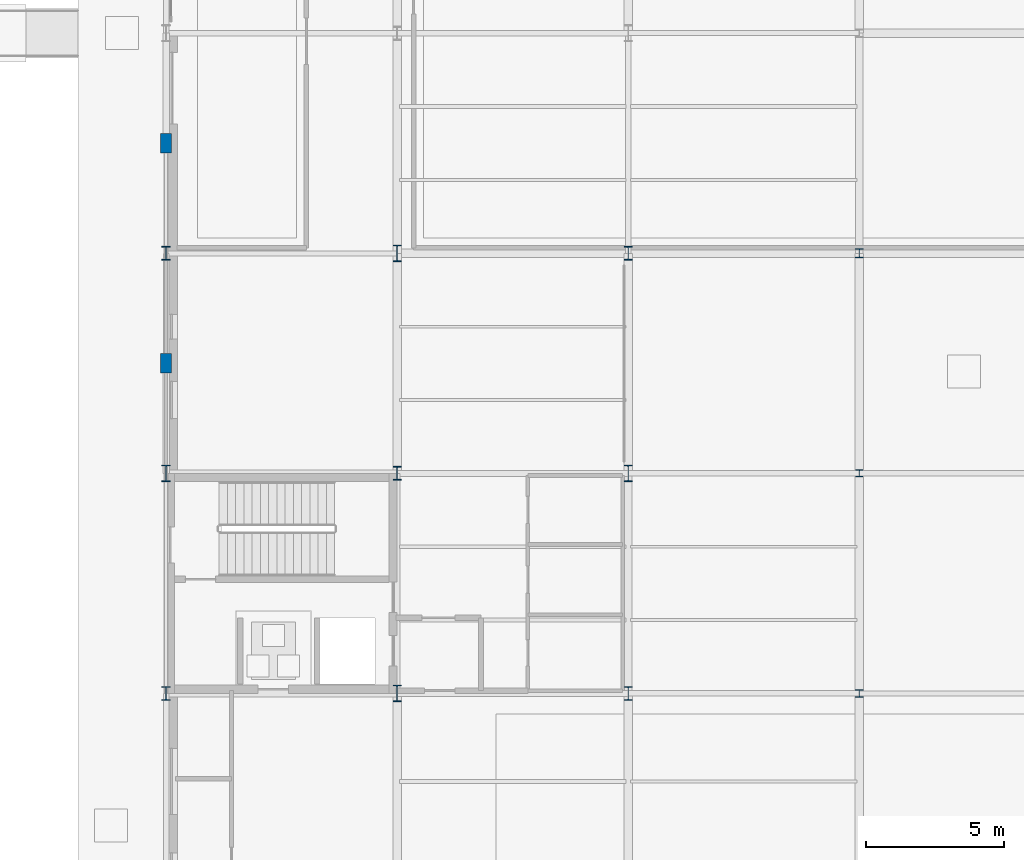
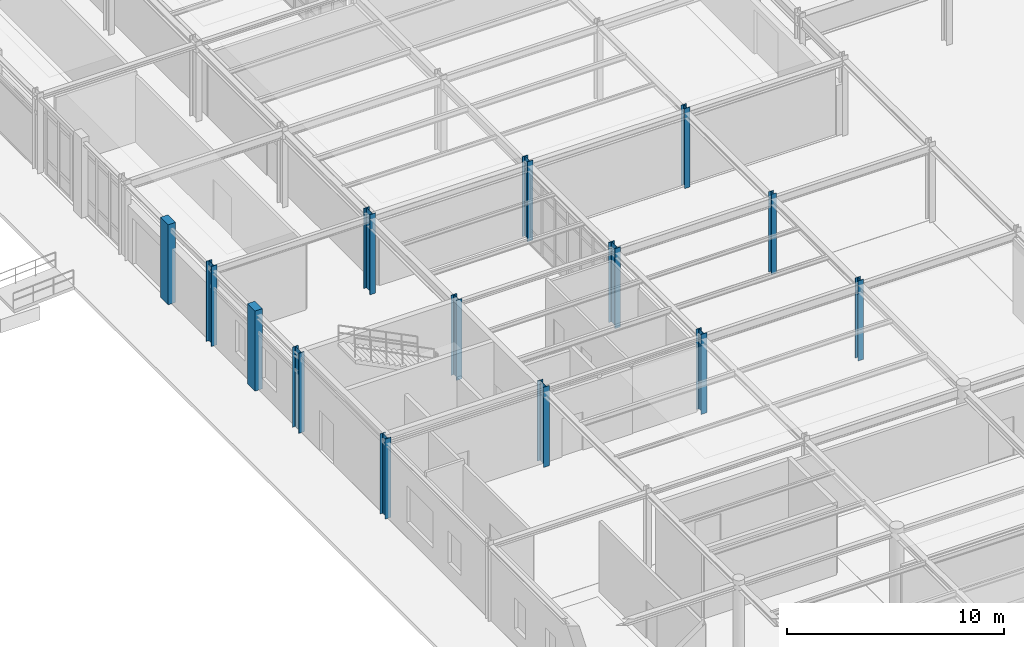
# One storey, part 5 of 101: 14 columns.
"""IFC4 building model written with IfcOpenShell, lengths in metres."""

from ifc_helpers import new_model, si_unit, derived_unit, direction, frame, origin, origin_2d, place, context, subcontext, project, spatial, rectangle, i_section, extrude, material, material_profile, profile_set, type_object, element, save


model = new_model("IFC4")

# Units and contexts
model_context = context("Model", 3, precision=1e-05, world=origin(), true_north=direction((0.0, 1.0)))
body_context = subcontext(model_context, "Body", "Model", "MODEL_VIEW")
ifc_project = project(units=[si_unit("LENGTHUNIT", "METRE"), si_unit("AREAUNIT", "SQUARE_METRE"), si_unit("VOLUMEUNIT", "CUBIC_METRE"), si_unit("PLANEANGLEUNIT", "RADIAN"), si_unit("MASSUNIT", "GRAM", prefix="KILO"), derived_unit("THERMALTRANSMITTANCEUNIT", [(si_unit("POWERUNIT", "WATT"), 1), (si_unit("AREAUNIT", "SQUARE_METRE"), -1), (si_unit("THERMODYNAMICTEMPERATUREUNIT", "KELVIN"), -1)])], contexts=[model_context])

# Site, building, storey
site_placement = place(None, origin())
site = spatial("IfcSite", under=ifc_project, at=site_placement, CompositionType="ELEMENT")
building_placement = place(site_placement, origin())
building = spatial("IfcBuilding", under=site, at=building_placement, Name="Yasenodar Specialist Clinic", CompositionType="ELEMENT")
storey_placement = place(building_placement, origin())
storey = spatial("IfcBuildingStorey", under=building, at=storey_placement, Name="L00", CompositionType="ELEMENT", Elevation=0.0)

# Columns
ifc_material_1 = material(Name="Steel S355", Category="steel")
ifc_material_profile_1 = material_profile(ifc_material_1, i_section(OverallWidth=0.260009765625, OverallDepth=0.260009765625, WebThickness=0.010009765625, FlangeThickness=0.017578125, FilletRadius=0.02392578125, at=origin_2d()), Name="HEB 260")
ifc_profile_set_1 = profile_set([ifc_material_profile_1], Name="Steel S355")
column_type_1 = type_object("IfcColumnType", Name="COL-ST-HEB260", PredefinedType="COLUMN", material=ifc_profile_set_1)
column_1_placement = place(storey_placement, frame((25.199951171875, 42.800048828125, 0.0), z_axis=(0.0, 0.0, 1.0), x_axis=(1.0, 0.0, 0.0)))
element("IfcColumn", 1, at=column_1_placement, inside=storey, type_object=column_type_1, Name="L00 Column V4-051", PredefinedType="COLUMN", context=body_context, shape_type="SweptSolid", body=[
    extrude(i_section(OverallWidth=0.260009765625, OverallDepth=0.260009765625, WebThickness=0.010009765625, FlangeThickness=0.017578125, FilletRadius=0.02392578125, at=origin_2d()), origin(), (0.0, 0.0, 1.0), 4.5),
])
ifc_material_profile_2 = material_profile(ifc_material_1, i_section(OverallWidth=0.280029296875, OverallDepth=0.280029296875, WebThickness=0.010498046875, FlangeThickness=0.01806640625, FilletRadius=0.02392578125, at=origin_2d()), Name="HEB 280")
ifc_profile_set_2 = profile_set([ifc_material_profile_2], Name="Steel S355")
column_type_2 = type_object("IfcColumnType", Name="COL-ST-HEB280", PredefinedType="COLUMN", material=ifc_profile_set_2)
column_2_placement = place(storey_placement, frame((25.199951171875, 34.800048828125, 0.0), z_axis=(0.0, 0.0, 1.0), x_axis=(1.0, 0.0, 0.0)))
element("IfcColumn", 2, at=column_2_placement, inside=storey, type_object=column_type_2, Name="L00 Column V4-050", PredefinedType="COLUMN", context=body_context, shape_type="SweptSolid", body=[
    extrude(i_section(OverallWidth=0.280029296875, OverallDepth=0.280029296875, WebThickness=0.010498046875, FlangeThickness=0.01806640625, FilletRadius=0.02392578125, at=origin_2d()), origin(), (0.0, 0.0, 1.0), 4.5),
])
ifc_material_profile_3 = material_profile(ifc_material_1, i_section(OverallWidth=0.300048828125, OverallDepth=0.340087890625, WebThickness=0.011962890625, FlangeThickness=0.021484375, FilletRadius=0.027099609375, at=origin_2d()), Name="HEB 340")
ifc_profile_set_3 = profile_set([ifc_material_profile_3], Name="Steel S355")
column_type_3 = type_object("IfcColumnType", Name="COL-ST-HEB340", PredefinedType="COLUMN", material=ifc_profile_set_3)
column_3_placement = place(storey_placement, frame((25.199951171875, 50.800048828125, 0.0), z_axis=(0.0, 0.0, 1.0), x_axis=(1.0, 0.0, 0.0)))
element("IfcColumn", 3, at=column_3_placement, inside=storey, type_object=column_type_3, Name="L00 Column V4-052", PredefinedType="COLUMN", context=body_context, shape_type="SweptSolid", body=[
    extrude(i_section(OverallWidth=0.300048828125, OverallDepth=0.340087890625, WebThickness=0.011962890625, FlangeThickness=0.021484375, FilletRadius=0.027099609375, at=origin_2d()), origin(), (0.0, 0.0, 1.0), 4.5),
])
ifc_material_profile_4 = material_profile(ifc_material_1, i_section(OverallWidth=0.300048828125, OverallDepth=0.5, WebThickness=0.014404296875, FlangeThickness=0.028076171875, FilletRadius=0.027099609375, at=origin_2d()), Name="HEB 500")
ifc_profile_set_4 = profile_set([ifc_material_profile_4], Name="Steel S355")
column_type_4 = type_object("IfcColumnType", Name="COL-ST-HEB500", PredefinedType="COLUMN", material=ifc_profile_set_4)
for number, where, z_axis, x_axis, name in (
    (4, (0.0, 34.800048828125, 0.0), (0.0, 0.0, 1.0), (1.0, 0.0, 0.0), "L00 Column V4-005"),
    (5, (0.0, 50.800048828125, 0.0), (0.0, 0.0, 1.0), (1.0, 0.0, 0.0), "L00 Column V4-007"),
    (6, (8.39990234375, 42.800048828125, 0.0), (0.0, 0.0, 1.0), (1.0, 0.0, 0.0), "L00 Column V4-021"),
    (7, (16.800048828125, 34.800048828125, 0.0), (0.0, 0.0, 1.0), (1.0, 0.0, 0.0), "L00 Column V4-035"),
    (8, (16.800048828125, 50.800048828125, 0.0), (0.0, 0.0, 1.0), (1.0, 0.0, 0.0), "L00 Column V4-037"),
):
    element("IfcColumn", number, at=place(storey_placement, frame(where, z_axis=z_axis, x_axis=x_axis)), inside=storey, type_object=column_type_4, Name=name, PredefinedType="COLUMN", context=body_context, shape_type="SweptSolid", body=[
        extrude(i_section(OverallWidth=0.300048828125, OverallDepth=0.5, WebThickness=0.014404296875, FlangeThickness=0.028076171875, FilletRadius=0.027099609375, at=origin_2d()), origin(), (0.0, 0.0, 1.0), 4.5),
    ])
ifc_material_profile_5 = material_profile(ifc_material_1, i_section(OverallWidth=0.300048828125, OverallDepth=0.60009765625, WebThickness=0.015380859375, FlangeThickness=0.030029296875, FilletRadius=0.027099609375, at=origin_2d()), Name="HEB 600")
ifc_profile_set_5 = profile_set([ifc_material_profile_5], Name="Steel S355")
column_type_5 = type_object("IfcColumnType", Name="COL-ST-HEB600", PredefinedType="COLUMN", material=ifc_profile_set_5)
for number, where, z_axis, x_axis, name in (
    (9, (0.0, 42.800048828125, 0.0), (0.0, 0.0, 1.0), (1.0, 0.0, 0.0), "L00 Column V4-006"),
    (10, (8.39990234375, 34.800048828125, 0.0), (0.0, 0.0, 1.0), (1.0, 0.0, 0.0), "L00 Column V4-020"),
    (11, (8.39990234375, 50.800048828125, 0.0), (0.0, 0.0, 1.0), (1.0, 0.0, 0.0), "L00 Column V4-022"),
    (12, (16.800048828125, 42.800048828125, 0.0), (0.0, 0.0, 1.0), (1.0, 0.0, 0.0), "L00 Column V4-036"),
):
    element("IfcColumn", number, at=place(storey_placement, frame(where, z_axis=z_axis, x_axis=x_axis)), inside=storey, type_object=column_type_5, Name=name, PredefinedType="COLUMN", context=body_context, shape_type="SweptSolid", body=[
        extrude(i_section(OverallWidth=0.300048828125, OverallDepth=0.60009765625, WebThickness=0.015380859375, FlangeThickness=0.030029296875, FilletRadius=0.027099609375, at=origin_2d()), origin(), (0.0, 0.0, 1.0), 4.5),
    ])
ifc_material_2 = material(Name="Concrete C35/45", Category="concrete")
ifc_material_profile_6 = material_profile(ifc_material_2, rectangle(XDim=0.39990234375, YDim=0.699951171875, at=origin_2d()), Name="RC 400x700")
ifc_profile_set_6 = profile_set([ifc_material_profile_6], Name="Concrete C35/45")
column_type_6 = type_object("IfcColumnType", Name="PIL-RC-400x700", PredefinedType="PILASTER", material=ifc_profile_set_6)
for number, where, z_axis, x_axis, name in (
    (13, (0.0, 46.800048828125, 0.0), (0.0, 0.0, 1.0), (1.0, 0.0, 0.0), "L00 Arcade Pilaster 01"),
    (14, (0.0, 54.800048828125, 0.0), (0.0, 0.0, 1.0), (1.0, 0.0, 0.0), "L00 Arcade Pilaster 02"),
):
    element("IfcColumn", number, at=place(storey_placement, frame(where, z_axis=z_axis, x_axis=x_axis)), inside=storey, type_object=column_type_6, Name=name, PredefinedType="PILASTER", context=body_context, shape_type="SweptSolid", body=[
        extrude(rectangle(XDim=0.39990234375, YDim=0.699951171875, at=origin_2d()), origin(), (0.0, 0.0, 1.0), 4.5),
    ])

save(model, "model.ifc")
